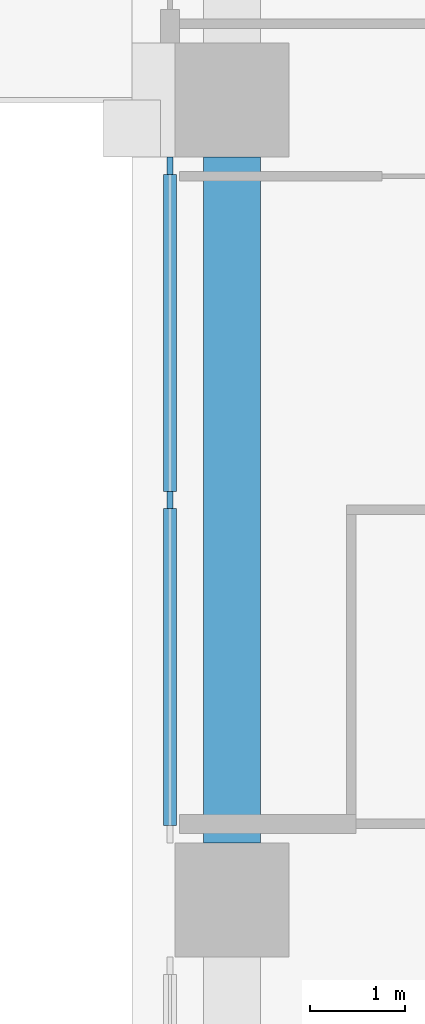
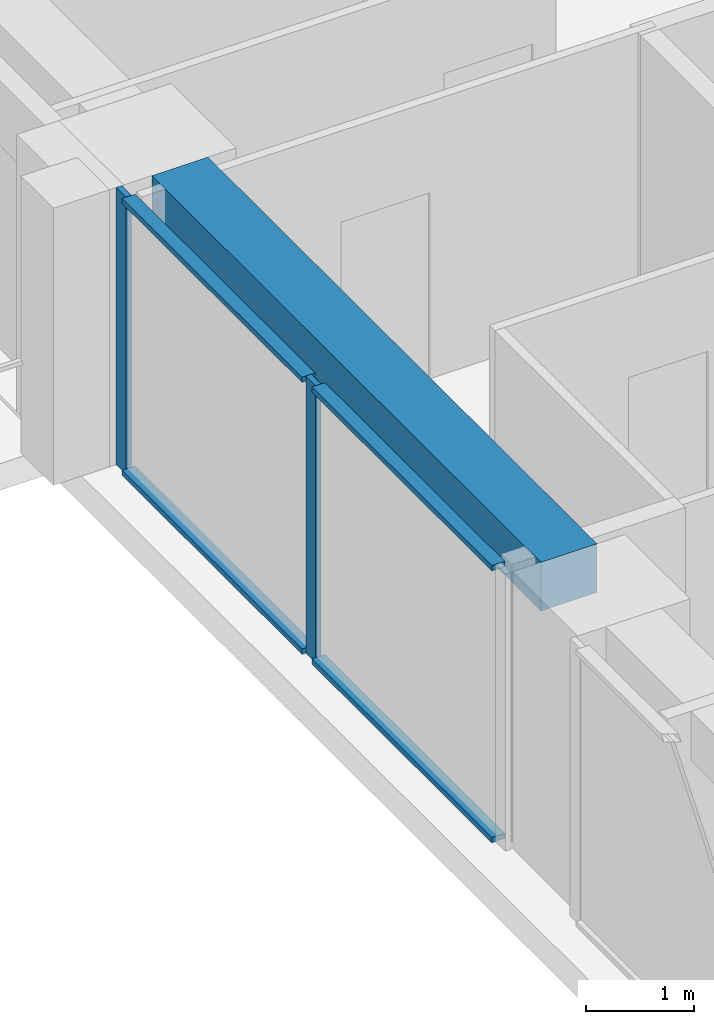
# One storey, part 3 of 16: 6 members, 1 beam, 1 element without a shape of its own.
"""IFC4 building model written with IfcOpenShell, lengths in metres."""

from ifc_helpers import new_model, si_unit, direction, frame, origin, origin_2d, place, context, subcontext, project, spatial, rectangle, extrude, material, material_profile, profile_set, type_object, element, aggregate, save


model = new_model("IFC4")

# Units and contexts
model_context = context("Model", 3, precision=1e-05, world=origin(), true_north=direction((0.0, 1.0)))
body_context = subcontext(model_context, "Body", "Model", "MODEL_VIEW")
ifc_project = project(units=[si_unit("LENGTHUNIT", "METRE"), si_unit("AREAUNIT", "SQUARE_METRE"), si_unit("VOLUMEUNIT", "CUBIC_METRE"), si_unit("PLANEANGLEUNIT", "RADIAN"), si_unit("MASSUNIT", "GRAM", prefix="KILO")], contexts=[model_context])

# Site, building, storey
site_placement = place(None, origin())
site = spatial("IfcSite", under=ifc_project, at=site_placement, CompositionType="ELEMENT")
building_placement = place(site_placement, origin())
building = spatial("IfcBuilding", under=site, at=building_placement, Name="Vermilion Ogive Tower", CompositionType="ELEMENT")
storey_placement = place(building_placement, frame((0.0, 0.0, 114.89990234375)))
storey = spatial("IfcBuildingStorey", under=building, at=storey_placement, Name="L29", CompositionType="ELEMENT", Elevation=114.89990234375)

# Curtain wall, members
ifc_material_1 = material(Name="Low-iron laminated glazing in aluminium frame", Category="aluminium")
curtain_wall_type = type_object("IfcCurtainWallType", Name="Curtain wall CW7", PredefinedType="NOTDEFINED", material=ifc_material_1)
curtain_wall_placement = place(storey_placement, origin())
curtain_wall = element("IfcCurtainWall", 1, at=curtain_wall_placement, inside=storey, type_object=curtain_wall_type, Name="Glazed skin W2", PredefinedType="NOTDEFINED")
ifc_material_2 = material(Name="Aluminium mullion", Category="aluminium")
ifc_material_profile_1 = material_profile(ifc_material_2, rectangle(XDim=0.06005859375, YDim=0.179931640625, at=origin_2d()), Name="AL 60x180")
ifc_profile_set_1 = profile_set([ifc_material_profile_1], Name="Aluminium mullion")
member_type_1 = type_object("IfcMemberType", Name="CW7 mullion 60x180", PredefinedType="MULLION", material=ifc_profile_set_1)
member_1_placement = place(storey_placement, frame((-25.85009765625, 3.510009765625, 0.0), z_axis=(0.0, 0.0, 1.0), x_axis=(1.0, 0.0, 0.0)))
member_1 = element("IfcMember", 2, at=member_1_placement, type_object=member_type_1, Name="CW7-W2 mullion 1", PredefinedType="MULLION", context=body_context, shape_type="SweptSolid", body=[
    extrude(rectangle(XDim=0.06005859375, YDim=0.179931640625, at=origin_2d()), origin(), (0.0, 0.0, 1.0), 3.130126953125),
])
member_2_placement = place(storey_placement, frame((-25.85009765625, 0.0, 0.0), z_axis=(0.0, 0.0, 1.0), x_axis=(1.0, 0.0, 0.0)))
member_2 = element("IfcMember", 3, at=member_2_placement, type_object=member_type_1, Name="CW7-W2 mullion 2", PredefinedType="MULLION", context=body_context, shape_type="SweptSolid", body=[
    extrude(rectangle(XDim=0.06005859375, YDim=0.179931640625, at=origin_2d()), origin(), (0.0, 0.0, 1.0), 3.130126953125),
])
ifc_material_3 = material(Name="Aluminium transom", Category="aluminium")
ifc_material_profile_2 = material_profile(ifc_material_3, rectangle(XDim=0.139892578125, YDim=0.06005859375, at=origin_2d()), Name="AL 60x140")
ifc_profile_set_2 = profile_set([ifc_material_profile_2], Name="Aluminium transom")
member_type_2 = type_object("IfcMemberType", Name="CW7 transom 60x140", PredefinedType="USERDEFINED", material=ifc_profile_set_2)
member_3_placement = place(storey_placement, frame((-25.85009765625, 3.419921875, 0.030029296875), z_axis=(0.0, -1.0, 0.0), x_axis=(1.0, 0.0, 0.0)))
member_3 = element("IfcMember", 4, at=member_3_placement, type_object=member_type_2, Name="CW7-W2 transom 1.1", ObjectType="TRANSOM", PredefinedType="USERDEFINED", context=body_context, shape_type="SweptSolid", body=[
    extrude(rectangle(XDim=0.139892578125, YDim=0.06005859375, at=origin_2d()), origin(), (0.0, 0.0, 1.0), 3.329833984375),
])
member_4_placement = place(storey_placement, frame((-25.85009765625, 3.419921875, 3.10009765625), z_axis=(0.0, -1.0, 0.0), x_axis=(1.0, 0.0, 0.0)))
member_4 = element("IfcMember", 5, at=member_4_placement, type_object=member_type_2, Name="CW7-W2 transom 1.2", ObjectType="TRANSOM", PredefinedType="USERDEFINED", context=body_context, shape_type="SweptSolid", body=[
    extrude(rectangle(XDim=0.139892578125, YDim=0.06005859375, at=origin_2d()), origin(), (0.0, 0.0, 1.0), 3.329833984375),
])
member_5_placement = place(storey_placement, frame((-25.85009765625, -0.090087890625, 0.030029296875), z_axis=(0.0, -1.0, 0.0), x_axis=(1.0, 0.0, 0.0)))
member_5 = element("IfcMember", 6, at=member_5_placement, type_object=member_type_2, Name="CW7-W2 transom 2.1", ObjectType="TRANSOM", PredefinedType="USERDEFINED", context=body_context, shape_type="SweptSolid", body=[
    extrude(rectangle(XDim=0.139892578125, YDim=0.06005859375, at=origin_2d()), origin(), (0.0, 0.0, 1.0), 3.329833984375),
])
member_6_placement = place(storey_placement, frame((-25.85009765625, -0.090087890625, 3.10009765625), z_axis=(0.0, -1.0, 0.0), x_axis=(1.0, 0.0, 0.0)))
member_6 = element("IfcMember", 7, at=member_6_placement, type_object=member_type_2, Name="CW7-W2 transom 2.2", ObjectType="TRANSOM", PredefinedType="USERDEFINED", context=body_context, shape_type="SweptSolid", body=[
    extrude(rectangle(XDim=0.139892578125, YDim=0.06005859375, at=origin_2d()), origin(), (0.0, 0.0, 1.0), 3.329833984375),
])
aggregate(curtain_wall, [member_1, member_2, member_3, member_4, member_5, member_6])

# Beam
ifc_material_4 = material(Name="Concrete B45", Category="concrete")
ifc_material_profile_3 = material_profile(ifc_material_4, rectangle(XDim=0.60009765625, YDim=0.550048828125, at=origin_2d()), Name="600 x 550")
ifc_profile_set_3 = profile_set([ifc_material_profile_3], Name="Concrete B45")
beam_type = type_object("IfcBeamType", Name="Edge beam 600 x 550 B45", PredefinedType="BEAM", material=ifc_profile_set_3)
beam_placement = place(storey_placement, frame((-25.199951171875, 3.60009765625, 2.85498046875), z_axis=(0.0, -1.0, 0.0), x_axis=(1.0, 0.0, 0.0)))
element("IfcBeam", 8, at=beam_placement, inside=storey, type_object=beam_type, Name="L29-EB-15", PredefinedType="BEAM", context=body_context, shape_type="SweptSolid", body=[
    extrude(rectangle(XDim=0.60009765625, YDim=0.550048828125, at=origin_2d()), origin(), (0.0, 0.0, 1.0), 7.2001953125),
])

save(model, "model.ifc")
